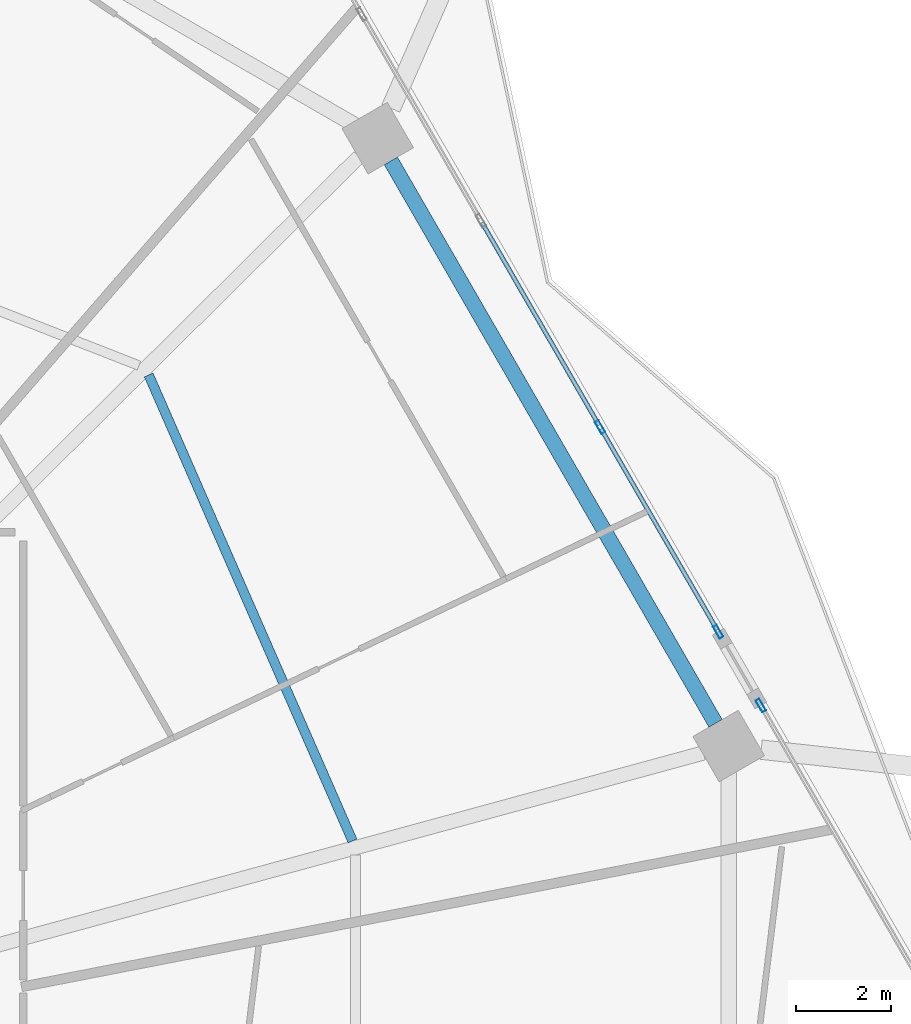
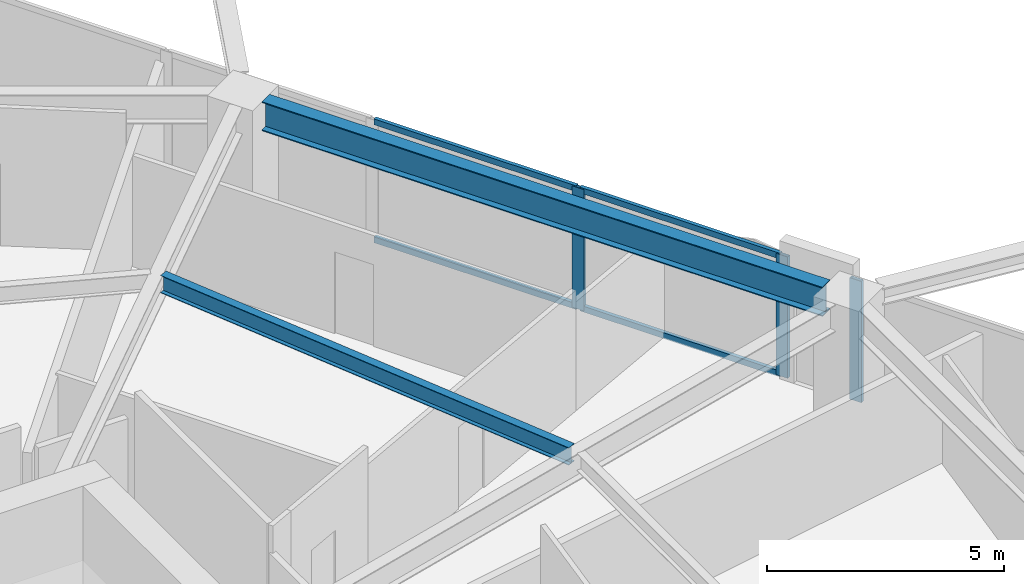
# One storey, part 16 of 29: 7 members, 2 beams, 2 elements without a shape of their own.
"""IFC4 building model written with IfcOpenShell, lengths in metres."""

from ifc_helpers import new_model, si_unit, direction, frame, origin, origin_2d, place, context, subcontext, project, spatial, hollow_rectangle, i_section, extrude, material, material_profile, profile_set, type_object, element, aggregate, save


model = new_model("IFC4")

# Units and contexts
model_context = context("Model", 3, precision=1e-05, world=origin(), true_north=direction((0.0, 1.0)))
body_context = subcontext(model_context, "Body", "Model", "MODEL_VIEW")
ifc_project = project(units=[si_unit("LENGTHUNIT", "METRE"), si_unit("AREAUNIT", "SQUARE_METRE"), si_unit("VOLUMEUNIT", "CUBIC_METRE"), si_unit("PLANEANGLEUNIT", "RADIAN"), si_unit("MASSUNIT", "GRAM", prefix="KILO")], contexts=[model_context])

# Site, building, storey
site_placement = place(None, origin())
site = spatial("IfcSite", under=ifc_project, at=site_placement, CompositionType="ELEMENT")
building_placement = place(site_placement, origin())
building = spatial("IfcBuilding", under=site, at=building_placement, Name="Zuhravey Tower", CompositionType="ELEMENT")
storey_placement = place(building_placement, frame((0.0, 0.0, 134.199951171875)))
storey = spatial("IfcBuildingStorey", under=building, at=storey_placement, Name="L33", CompositionType="ELEMENT", Elevation=134.199951171875)

# Curtain wall, members
ifc_material_1 = material(Name="Thermally broken anodised aluminium", Category="aluminium")
curtain_wall_type = type_object("IfcCurtainWallType", Name="Zone 1-2 Residential Curtain Wall CW3", PredefinedType="NOTDEFINED", material=ifc_material_1)
curtain_wall_1_placement = place(storey_placement, origin())
curtain_wall_1 = element("IfcCurtainWall", 1, at=curtain_wall_1_placement, inside=storey, type_object=curtain_wall_type, Name="L33 CW3 CW-L33-F1-1", PredefinedType="NOTDEFINED")
ifc_material_2 = material(Name="Anodised aluminium", Category="aluminium")
ifc_material_profile_1 = material_profile(ifc_material_2, hollow_rectangle(XDim=0.090087890625, YDim=0.284912109375, WallThickness=0.0048828125, at=origin_2d()), Name="ALU-RHS-90x285x5")
ifc_profile_set_1 = profile_set([ifc_material_profile_1], Name="Anodised aluminium")
member_type_1 = type_object("IfcMemberType", Name="Curtain-Wall Mullion 90x180", PredefinedType="MULLION", material=ifc_profile_set_1)
member_1_placement = place(storey_placement, frame((61.187744140625, 46.290283203125, 0.0), z_axis=(0.0, 0.0, 1.0), x_axis=(0.866026074549, 0.499998838201, 0.0)))
member_1 = element("IfcMember", 2, at=member_1_placement, type_object=member_type_1, Name="CW3 mullion 4", PredefinedType="MULLION", context=body_context, shape_type="SweptSolid", body=[
    extrude(hollow_rectangle(XDim=0.090087890625, YDim=0.284912109375, WallThickness=0.0048828125, at=origin_2d()), origin(), (0.0, 0.0, 1.0), 3.1220703125),
])
member_2_placement = place(storey_placement, frame((63.668212890625, 41.993896484375, 0.0), z_axis=(0.0, 0.0, 1.0), x_axis=(0.866026074549, 0.499998838201, 0.0)))
member_2 = element("IfcMember", 3, at=member_2_placement, type_object=member_type_1, Name="CW3 mullion 5", PredefinedType="MULLION", context=body_context, shape_type="SweptSolid", body=[
    extrude(hollow_rectangle(XDim=0.090087890625, YDim=0.284912109375, WallThickness=0.0048828125, at=origin_2d()), origin(), (0.0, 0.0, 1.0), 3.1220703125),
])

# Curtain wall, member
curtain_wall_2_placement = place(storey_placement, origin())
curtain_wall_2 = element("IfcCurtainWall", 4, at=curtain_wall_2_placement, inside=storey, type_object=curtain_wall_type, Name="L33 CW3 CW-L33-F1-2", PredefinedType="NOTDEFINED")
member_3_placement = place(storey_placement, frame((64.563232421875, 40.44384765625, 0.0), z_axis=(0.0, 0.0, 1.0), x_axis=(0.866022341509, 0.500005303978, 0.0)))
member_3 = element("IfcMember", 5, at=member_3_placement, type_object=member_type_1, Name="CW3 mullion 1", PredefinedType="MULLION", context=body_context, shape_type="SweptSolid", body=[
    extrude(hollow_rectangle(XDim=0.090087890625, YDim=0.284912109375, WallThickness=0.0048828125, at=origin_2d()), origin(), (0.0, 0.0, 1.0), 3.1220703125),
])
aggregate(curtain_wall_2, [member_3])

# Member
ifc_material_profile_2 = material_profile(ifc_material_2, hollow_rectangle(XDim=0.090087890625, YDim=0.14990234375, WallThickness=0.0048828125, at=origin_2d()), Name="ALU-RHS-90x150x5")
ifc_profile_set_2 = profile_set([ifc_material_profile_2], Name="Anodised aluminium")
member_type_2 = type_object("IfcMemberType", Name="Curtain-Wall Transom 90x150", PredefinedType="USERDEFINED", material=ifc_profile_set_2)
member_4_placement = place(storey_placement, frame((58.70751953125, 50.58642578125, 0.045166015625), z_axis=(0.499968934975, -0.866043338442, 0.0), x_axis=(0.866043338442, 0.499968934975, 0.0)))
member_4 = element("IfcMember", 6, at=member_4_placement, type_object=member_type_2, Name="CW3 transom 3.1", ObjectType="TRANSOM", PredefinedType="USERDEFINED", context=body_context, shape_type="SweptSolid", body=[
    extrude(hollow_rectangle(XDim=0.090087890625, YDim=0.14990234375, WallThickness=0.0048828125, at=origin_2d()), origin(), (0.0, 0.0, 1.0), 4.915771484375),
])

member_5_placement = place(storey_placement, frame((58.70751953125, 50.58642578125, 3.0771484375), z_axis=(0.499968934975, -0.866043338442, 0.0), x_axis=(0.866043338442, 0.499968934975, 0.0)))
member_5 = element("IfcMember", 7, at=member_5_placement, type_object=member_type_2, Name="CW3 transom 3.2", ObjectType="TRANSOM", PredefinedType="USERDEFINED", context=body_context, shape_type="SweptSolid", body=[
    extrude(hollow_rectangle(XDim=0.090087890625, YDim=0.14990234375, WallThickness=0.0048828125, at=origin_2d()), origin(), (0.0, 0.0, 1.0), 4.915771484375),
])

member_6_placement = place(storey_placement, frame((61.21044921875, 46.251220703125, 0.045166015625), z_axis=(0.499982784289, -0.866035343052, 0.0), x_axis=(0.866035343052, 0.499982784289, 0.0)))
member_6 = element("IfcMember", 8, at=member_6_placement, type_object=member_type_2, Name="CW3 transom 4.1", ObjectType="TRANSOM", PredefinedType="USERDEFINED", context=body_context, shape_type="SweptSolid", body=[
    extrude(hollow_rectangle(XDim=0.090087890625, YDim=0.14990234375, WallThickness=0.0048828125, at=origin_2d()), origin(), (0.0, 0.0, 1.0), 4.870849609375),
])

member_7_placement = place(storey_placement, frame((61.21044921875, 46.251220703125, 3.0771484375), z_axis=(0.499982784289, -0.866035343052, 0.0), x_axis=(0.866035343052, 0.499982784289, 0.0)))
member_7 = element("IfcMember", 9, at=member_7_placement, type_object=member_type_2, Name="CW3 transom 4.2", ObjectType="TRANSOM", PredefinedType="USERDEFINED", context=body_context, shape_type="SweptSolid", body=[
    extrude(hollow_rectangle(XDim=0.090087890625, YDim=0.14990234375, WallThickness=0.0048828125, at=origin_2d()), origin(), (0.0, 0.0, 1.0), 4.870849609375),
])

aggregate(curtain_wall_1, [member_1, member_2, member_4, member_5, member_6, member_7])

# Beams
ifc_material_3 = material(Name="Steel SM355", Category="steel")
ifc_material_profile_3 = material_profile(ifc_material_3, i_section(OverallWidth=0.320068359375, OverallDepth=0.75, WebThickness=0.013916015625, FlangeThickness=0.02490234375, at=origin_2d()), Name="H-750x320x14x25")
ifc_profile_set_3 = profile_set([ifc_material_profile_3], Name="Steel SM355")
beam_type_1 = type_object("IfcBeamType", Name="Perimeter Ring Beam H750x320", PredefinedType="BEAM", material=ifc_profile_set_3)
beam_1_placement = place(storey_placement, frame((63.612548828125, 40.070556640625, 3.175048828125), z_axis=(-0.500008177929, 0.866020682204, 0.0), x_axis=(-0.866020682204, -0.500008177929, 0.0)))
element("IfcBeam", 10, at=beam_1_placement, inside=storey, type_object=beam_type_1, Name="L33 PB1 BM-L33-PB-01", PredefinedType="BEAM", context=body_context, shape_type="SweptSolid", body=[
    extrude(i_section(OverallWidth=0.320068359375, OverallDepth=0.75, WebThickness=0.013916015625, FlangeThickness=0.02490234375, at=origin_2d()), origin(), (0.0, 0.0, 1.0), 13.634033203125),
])
ifc_material_profile_4 = material_profile(ifc_material_3, i_section(OverallWidth=0.199951171875, OverallDepth=0.449951171875, WebThickness=0.009033203125, FlangeThickness=0.013916015625, at=origin_2d()), Name="H-450x200x9x14")
ifc_profile_set_4 = profile_set([ifc_material_profile_4], Name="Steel SM355")
beam_type_2 = type_object("IfcBeamType", Name="Secondary Floor Joist H450x200", PredefinedType="JOIST", material=ifc_profile_set_4)
beam_2_placement = place(storey_placement, frame((55.99072265625, 37.599609375, 3.324951171875), z_axis=(-0.400786454617, 0.916171500209, 0.0), x_axis=(-0.916171500209, -0.400786454617, 0.0)))
element("IfcBeam", 11, at=beam_2_placement, inside=storey, type_object=beam_type_2, Name="L33 SJ1 BM-L33-SJ-01-1", PredefinedType="JOIST", context=body_context, shape_type="SweptSolid", body=[
    extrude(i_section(OverallWidth=0.199951171875, OverallDepth=0.449951171875, WebThickness=0.009033203125, FlangeThickness=0.013916015625, at=origin_2d()), origin(), (0.0, 0.0, 1.0), 10.6796875),
])

save(model, "model.ifc")
